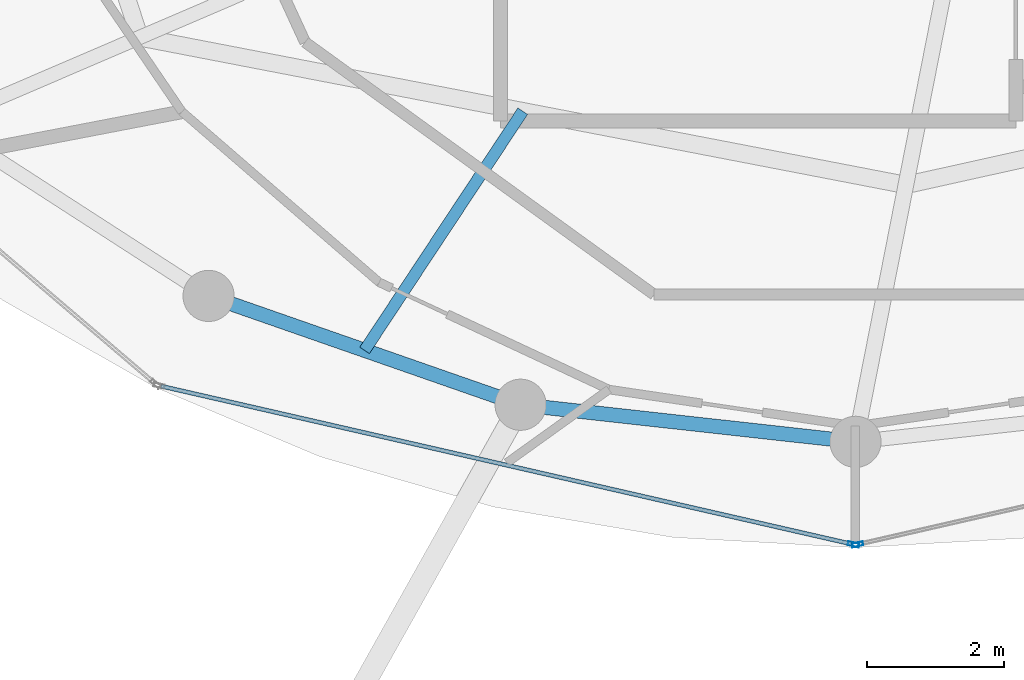
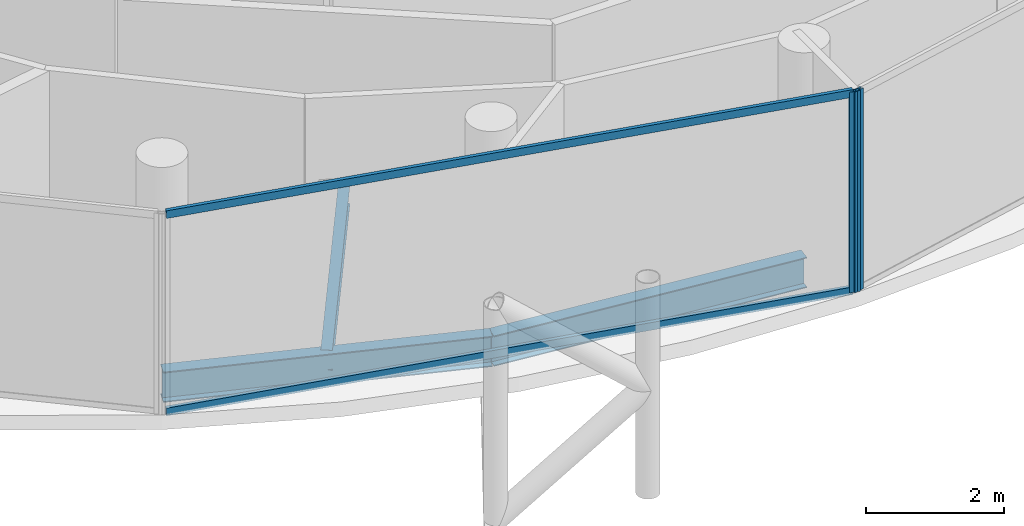
# One storey, part 4 of 24: 4 members, 3 beams, 2 elements without a shape of their own.
"""IFC4 building model written with IfcOpenShell, lengths in metres."""

import ifcopenshell
import ifcopenshell.guid

model = None  # the IFC model being written
_history = None  # IfcOwnerHistory: only IFC2X3 demands one
_inside = {}  # id of a spatial element -> (the spatial element, [elements in it])
_under = {}  # id of a project, library or spatial element -> (it, [spatial elements below it])
_declared = {}  # id of a project -> (the project, [libraries it declares])
_typed = {}  # id of a type object -> (the type object, [elements of that type])
_made_of = {}  # id of a material, layer set ... -> (it, [elements and type objects made of it])


def new_model(schema):
    """Start an empty IFC model of exactly this schema.

    Asked for "IFC4X3", IfcOpenShell would pick the latest addendum, in which some entities
    have other attributes; the version numbers below select the first issue.
    IFC2X3 requires an IfcOwnerHistory on every rooted entity: one is made here for all.
    """
    global model, _history
    if schema == "IFC4X3":
        model = ifcopenshell.file(schema_version=(4, 3, 0, 0))
    else:
        model = ifcopenshell.file(schema=schema)
    _inside.clear()
    _under.clear()
    _declared.clear()
    _typed.clear()
    _made_of.clear()
    _history = None
    if model.schema == "IFC2X3":
        org = make("IfcOrganization", Name="unknown")
        user = make(
            "IfcPersonAndOrganization",
            ThePerson=make("IfcPerson", FamilyName="unknown"),
            TheOrganization=org,
        )
        app = make(
            "IfcApplication",
            ApplicationDeveloper=org,
            Version="unknown",
            ApplicationFullName="unknown",
            ApplicationIdentifier="unknown",
        )
        _history = make(
            "IfcOwnerHistory",
            OwningUser=user,
            OwningApplication=app,
            ChangeAction="ADDED",
            CreationDate=0,
        )
    return model


def make(cls, **values):
    """One entity of the class cls with the attributes given. An attribute that is None is left unset."""
    return model.create_entity(
        cls, **{name: value for name, value in values.items() if value is not None}
    )


def rooted(cls, **values):
    """An entity with a GlobalId (a new one), such as an element, a storey or a relation."""
    return make(cls, GlobalId=ifcopenshell.guid.new(), OwnerHistory=_history, **values)


def si_unit(unit_type, name, prefix=None):
    """IfcSIUnit, for example si_unit("LENGTHUNIT", "METRE", prefix="MILLI")."""
    return make("IfcSIUnit", UnitType=unit_type, Prefix=prefix, Name=name)


def assignment(units):
    """IfcUnitAssignment: the units of a project."""
    return None if units is None else make("IfcUnitAssignment", Units=units)


def point(xyz):
    """IfcCartesianPoint."""
    return None if xyz is None else make("IfcCartesianPoint", Coordinates=xyz)


def direction(xyz):
    """IfcDirection."""
    return None if xyz is None else make("IfcDirection", DirectionRatios=xyz)


def frame(location, z_axis=None, x_axis=None):
    """IfcAxis2Placement3D, a coordinate frame: its origin and axes. An axis left out is left unset."""
    return make(
        "IfcAxis2Placement3D",
        Location=point(location),
        Axis=direction(z_axis),
        RefDirection=direction(x_axis),
    )


def frame_2d(location, x_axis=None):
    """IfcAxis2Placement2D, a coordinate frame in the plane: its origin and x axis."""
    return make(
        "IfcAxis2Placement2D", Location=point(location), RefDirection=direction(x_axis)
    )


def origin():
    """The frame at (0, 0, 0) with its axes left unset."""
    return frame((0.0, 0.0, 0.0))


def origin_2d():
    """The frame at (0, 0) in the plane with its x axis left unset."""
    return frame_2d((0.0, 0.0))


def place(relative_to, where):
    """IfcLocalPlacement: puts the frame where relative to a parent placement (None: the world)."""
    return make(
        "IfcLocalPlacement", PlacementRelTo=relative_to, RelativePlacement=where
    )


def context(
    kind, dimensions, precision=None, world=None, true_north=None, identifier=None
):
    """IfcGeometricRepresentationContext, for example the 3D "Model" context."""
    return make(
        "IfcGeometricRepresentationContext",
        ContextIdentifier=identifier,
        ContextType=kind,
        CoordinateSpaceDimension=dimensions,
        Precision=precision,
        WorldCoordinateSystem=world,
        TrueNorth=true_north,
    )


def subcontext(parent, identifier, kind, view, scale=None):
    """IfcGeometricRepresentationSubContext, for example "Body" below "Model"."""
    return make(
        "IfcGeometricRepresentationSubContext",
        ContextIdentifier=identifier,
        ContextType=kind,
        ParentContext=parent,
        TargetScale=scale,
        TargetView=view,
    )


def project(units=None, contexts=None):
    """IfcProject with its units and contexts."""
    return rooted(
        "IfcProject",
        Name="project",
        RepresentationContexts=contexts,
        UnitsInContext=assignment(units),
    )


def spatial(cls, under=None, at=None, **own):
    """A site, building, storey or space (cls), placed at a placement, below another one or the project."""
    s = rooted(cls, ObjectPlacement=at, **own)
    if under is not None:
        _under.setdefault(under.id(), (under, []))[1].append(s)
    return s


def profile(cls, at=None, kind="AREA", **sizes):
    """A parametric profile (cls). Its sizes go by their IFC names, for example OverallWidth=200.0."""
    return make(cls, ProfileType=kind, Position=at, **sizes)


def hollow_rectangle(**sizes):
    """IfcRectangleHollowProfileDef."""
    return profile("IfcRectangleHollowProfileDef", **sizes)


def i_section(**sizes):
    """IfcIShapeProfileDef."""
    return profile("IfcIShapeProfileDef", **sizes)


def extrude(swept, where, along, depth):
    """IfcExtrudedAreaSolid: the profile swept, set in the frame where, extruded along a direction by depth."""
    return make(
        "IfcExtrudedAreaSolid",
        SweptArea=swept,
        Position=where,
        ExtrudedDirection=direction(along),
        Depth=depth,
    )


def shape(context_of_items, identifier, shape_type, items):
    """IfcShapeRepresentation: the items that make up one representation, for example the "Body"."""
    return make(
        "IfcShapeRepresentation",
        ContextOfItems=context_of_items,
        RepresentationIdentifier=identifier,
        RepresentationType=shape_type,
        Items=items,
    )


def material(Name=None, Category=None):
    """IfcMaterial."""
    return make("IfcMaterial", Name=Name, Category=Category)


def layer(
    of_material, thickness, ventilated=None, Name=None, Category=None, Priority=None
):
    """IfcMaterialLayer: one layer of a wall or slab, of a material (None: an air gap)."""
    return make(
        "IfcMaterialLayer",
        Material=of_material,
        LayerThickness=thickness,
        IsVentilated=ventilated,
        Name=Name,
        Category=Category,
        Priority=Priority,
    )


def layer_set(layers, Name=None):
    """IfcMaterialLayerSet."""
    return make("IfcMaterialLayerSet", MaterialLayers=layers, LayerSetName=Name)


def material_profile(
    of_material, cross_section, Name=None, Category=None, Priority=None
):
    """IfcMaterialProfile: a cross section and its material."""
    return make(
        "IfcMaterialProfile",
        Name=Name,
        Material=of_material,
        Profile=cross_section,
        Priority=Priority,
        Category=Category,
    )


def profile_set(profiles, Name=None, composite=None):
    """IfcMaterialProfileSet."""
    return make(
        "IfcMaterialProfileSet",
        Name=Name,
        MaterialProfiles=profiles,
        CompositeProfile=composite,
    )


def made_of(thing, what):
    """Note that an element or type object is made of a material, layer set ...; save() writes the relation."""
    if what is not None:
        _made_of.setdefault(what.id(), (what, []))[1].append(thing)
    return thing


def type_object(cls, material=None, **own):
    """A type object (cls), such as IfcWallType, which elements share."""
    return made_of(rooted(cls, **own), material)


def element(
    cls,
    number,
    at=None,
    inside=None,
    cuts=None,
    type_object=None,
    material=None,
    context=None,
    identifier="Body",
    shape_type=None,
    held_by="IfcProductDefinitionShape",
    body=None,
    shapes=None,
    **own,
):
    """One element of the class cls, such as IfcWall. Its Tag is "e" and its number.

    at: its placement. inside: the storey or other place that contains it. cuts: it is an
    opening in that element (IfcRelVoidsElement). A single representation is given by context,
    identifier, shape_type and body (its items); several are given by shapes. held_by: the class
    of the entity that holds the representations. save() writes the other relations.
    """
    e = rooted(cls, Tag="e%d" % number, ObjectPlacement=at, **own)
    if body is not None:
        shapes = [shape(context, identifier, shape_type, body)]
    if shapes is not None:
        e.Representation = make(held_by, Representations=shapes)
    if inside is not None:
        _inside.setdefault(inside.id(), (inside, []))[1].append(e)
    if cuts is not None:
        rooted(
            "IfcRelVoidsElement", RelatingBuildingElement=cuts, RelatedOpeningElement=e
        )
    if type_object is not None:
        _typed.setdefault(type_object.id(), (type_object, []))[1].append(e)
    return made_of(e, material)


def aggregate(whole, parts):
    """IfcRelAggregates: a whole, such as a stair, and the parts it consists of."""
    return rooted("IfcRelAggregates", RelatingObject=whole, RelatedObjects=parts)


def save(model, path):
    """Write the relations noted so far, then the file.

    IfcRelAggregates (storeys below a building ...), IfcRelContainedInSpatialStructure (elements
    in a storey), IfcRelDefinesByType, IfcRelAssociatesMaterial and IfcRelDeclares: one each for
    every whole, place, type object, material and project.
    """
    for whole, parts in _under.values():
        aggregate(whole, parts)
    for where, things in _inside.values():
        rooted(
            "IfcRelContainedInSpatialStructure",
            RelatedElements=things,
            RelatingStructure=where,
        )
    for kind, things in _typed.values():
        rooted("IfcRelDefinesByType", RelatedObjects=things, RelatingType=kind)
    for what, things in _made_of.values():
        rooted("IfcRelAssociatesMaterial", RelatedObjects=things, RelatingMaterial=what)
    for by, libraries in _declared.values():
        rooted("IfcRelDeclares", RelatingContext=by, RelatedDefinitions=libraries)
    model.write(path)


model = new_model("IFC4")

# Units and contexts
model_context = context("Model", 3, precision=1e-05, world=origin(), true_north=direction((0.0, 1.0)))
body_context = subcontext(model_context, "Body", "Model", "MODEL_VIEW")
ifc_project = project(units=[si_unit("LENGTHUNIT", "METRE"), si_unit("AREAUNIT", "SQUARE_METRE"), si_unit("VOLUMEUNIT", "CUBIC_METRE"), si_unit("PLANEANGLEUNIT", "RADIAN"), si_unit("MASSUNIT", "GRAM", prefix="KILO")], contexts=[model_context])

# Site, building, storey
site_placement = place(None, origin())
site = spatial("IfcSite", under=ifc_project, at=site_placement, CompositionType="ELEMENT")
building_placement = place(site_placement, origin())
building = spatial("IfcBuilding", under=site, at=building_placement, Name="Nuhasar Tower", CompositionType="ELEMENT")
storey_placement = place(building_placement, frame((0.0, 0.0, 278.39990234375)))
storey = spatial("IfcBuildingStorey", under=building, at=storey_placement, Name="L69", CompositionType="ELEMENT", Elevation=278.39990234375)

# Beams
ifc_material_1 = material(Name="Steel S355", Category="steel")
ifc_material_profile_1 = material_profile(ifc_material_1, i_section(OverallWidth=0.1708984375, OverallDepth=0.35205078125, WebThickness=0.0068359375, FlangeThickness=0.009765625, at=origin_2d()), Name="W14X30")
ifc_profile_set_1 = profile_set([ifc_material_profile_1], Name="Steel S355")
beam_type_1 = type_object("IfcBeamType", Name="BM-JST-W14X30", PredefinedType="JOIST", material=ifc_profile_set_1)
beam_1_placement = place(storey_placement, frame((34.126953125, 15.693115234375, -0.435791015625), z_axis=(-0.551638003526, -0.834083636733, 0.0), x_axis=(0.834083636733, -0.551638003526, 0.0)))
element("IfcBeam", 1, at=beam_1_placement, inside=storey, type_object=beam_type_1, Name="L69 Secondary Floor Joist 01", PredefinedType="JOIST", context=body_context, shape_type="SweptSolid", body=[
    extrude(i_section(OverallWidth=0.1708984375, OverallDepth=0.35205078125, WebThickness=0.0068359375, FlangeThickness=0.009765625, at=origin_2d()), origin(), (0.0, 0.0, 1.0), 4.199951171875),
])
ifc_material_profile_2 = material_profile(ifc_material_1, i_section(OverallWidth=0.2099609375, OverallDepth=0.537109375, WebThickness=0.010986328125, FlangeThickness=0.017333984375, at=origin_2d()), Name="W21X68")
ifc_profile_set_2 = profile_set([ifc_material_profile_2], Name="Steel S355")
beam_type_2 = type_object("IfcBeamType", Name="BM-RING-W21X68", PredefinedType="SPANDREL", material=ifc_profile_set_2)
beam_2_placement = place(storey_placement, frame((29.52490234375, 12.987060546875, -0.52880859375), z_axis=(0.944214043504, -0.329332415729, 0.0), x_axis=(0.329332415729, 0.944214043504, 0.0)))
element("IfcBeam", 2, at=beam_2_placement, inside=storey, type_object=beam_type_2, Name="L69 Perimeter Ring Spandrel 17", PredefinedType="SPANDREL", context=body_context, shape_type="SweptSolid", body=[
    extrude(i_section(OverallWidth=0.2099609375, OverallDepth=0.537109375, WebThickness=0.010986328125, FlangeThickness=0.017333984375, at=origin_2d()), origin(), (0.0, 0.0, 1.0), 4.840087890625),
])
beam_3_placement = place(storey_placement, frame((34.094970703125, 11.39306640625, -0.52880859375), z_axis=(0.99392889943, -0.110024283128, 0.0), x_axis=(0.110024283128, 0.99392889943, 0.0)))
element("IfcBeam", 3, at=beam_3_placement, inside=storey, type_object=beam_type_2, Name="L69 Perimeter Ring Spandrel 18", PredefinedType="SPANDREL", context=body_context, shape_type="SweptSolid", body=[
    extrude(i_section(OverallWidth=0.2099609375, OverallDepth=0.537109375, WebThickness=0.010986328125, FlangeThickness=0.017333984375, at=origin_2d()), origin(), (0.0, 0.0, 1.0), 4.93505859375),
])

# Curtain wall, member
ifc_material_2 = material(Name="Aluminium 6063-T6", Category="aluminium")
ifc_layer = layer(ifc_material_2, 0.18994140625)
ifc_layer_set = layer_set([ifc_layer], Name="Aluminium 6063-T6")
curtain_wall_type = type_object("IfcCurtainWallType", Name="CW-Z4-PEN", PredefinedType="NOTDEFINED", material=ifc_layer_set)
curtain_wall_1_placement = place(storey_placement, origin())
curtain_wall_1 = element("IfcCurtainWall", 4, at=curtain_wall_1_placement, inside=storey, type_object=curtain_wall_type, Name="L69 Unitised Curtain Wall 09", PredefinedType="NOTDEFINED")
ifc_material_profile_3 = material_profile(ifc_material_2, hollow_rectangle(XDim=0.06005859375, YDim=0.1650390625, WallThickness=0.0048828125, at=origin_2d()), Name="CWM-5")
ifc_profile_set_3 = profile_set([ifc_material_profile_3], Name="Aluminium 6063-T6")
member_type_1 = type_object("IfcMemberType", Name="CW-MUL-S5", PredefinedType="MULLION", material=ifc_profile_set_3)
member_1_placement = place(storey_placement, frame((38.970703125, 9.3466796875, 0.0), z_axis=(0.0, 0.0, 1.0), x_axis=(0.222889487645, 0.97484371891, 0.0)))
member_1 = element("IfcMember", 5, at=member_1_placement, type_object=member_type_1, Name="CW-Z4 mullion 2", PredefinedType="MULLION", context=body_context, shape_type="SweptSolid", body=[
    extrude(hollow_rectangle(XDim=0.06005859375, YDim=0.1650390625, WallThickness=0.0048828125, at=origin_2d()), origin(), (0.0, 0.0, 1.0), 3.5400390625),
])

curtain_wall_2_placement = place(storey_placement, origin())
curtain_wall_2 = element("IfcCurtainWall", 6, at=curtain_wall_2_placement, inside=storey, type_object=curtain_wall_type, Name="L69 Unitised Curtain Wall 10", PredefinedType="NOTDEFINED")
member_2_placement = place(storey_placement, frame((39.029296875, 9.3466796875, 0.0), z_axis=(0.0, 0.0, 1.0), x_axis=(-0.222889487645, 0.97484371891, 0.0)))
member_2 = element("IfcMember", 7, at=member_2_placement, type_object=member_type_1, Name="CW-Z4 mullion 1", PredefinedType="MULLION", context=body_context, shape_type="SweptSolid", body=[
    extrude(hollow_rectangle(XDim=0.06005859375, YDim=0.1650390625, WallThickness=0.0048828125, at=origin_2d()), origin(), (0.0, 0.0, 1.0), 3.5400390625),
])
aggregate(curtain_wall_2, [member_2])

# Member
ifc_material_profile_4 = material_profile(ifc_material_2, hollow_rectangle(XDim=0.06005859375, YDim=0.135009765625, WallThickness=0.00439453125, at=origin_2d()), Name="CWT-5")
ifc_profile_set_4 = profile_set([ifc_material_profile_4], Name="Aluminium 6063-T6")
member_type_2 = type_object("IfcMemberType", Name="CW-TRN-S5", PredefinedType="USERDEFINED", material=ifc_profile_set_4)
member_3_placement = place(storey_placement, frame((28.828369140625, 11.66552734375, 0.030029296875), z_axis=(0.974843752401, -0.222889341163, 0.0), x_axis=(0.222889341163, 0.974843752401, 0.0)))
member_3 = element("IfcMember", 8, at=member_3_placement, type_object=member_type_2, Name="CW-Z4 transom 1.1", ObjectType="TRANSOM", PredefinedType="USERDEFINED", context=body_context, shape_type="SweptSolid", body=[
    extrude(hollow_rectangle(XDim=0.06005859375, YDim=0.135009765625, WallThickness=0.00439453125, at=origin_2d()), origin(), (0.0, 0.0, 1.0), 10.3740234375),
])

member_4_placement = place(storey_placement, frame((28.828369140625, 11.66552734375, 3.510009765625), z_axis=(0.974843752401, -0.222889341163, 0.0), x_axis=(0.222889341163, 0.974843752401, 0.0)))
member_4 = element("IfcMember", 9, at=member_4_placement, type_object=member_type_2, Name="CW-Z4 transom 1.2", ObjectType="TRANSOM", PredefinedType="USERDEFINED", context=body_context, shape_type="SweptSolid", body=[
    extrude(hollow_rectangle(XDim=0.06005859375, YDim=0.135009765625, WallThickness=0.00439453125, at=origin_2d()), origin(), (0.0, 0.0, 1.0), 10.3740234375),
])

aggregate(curtain_wall_1, [member_1, member_3, member_4])

save(model, "model.ifc")
